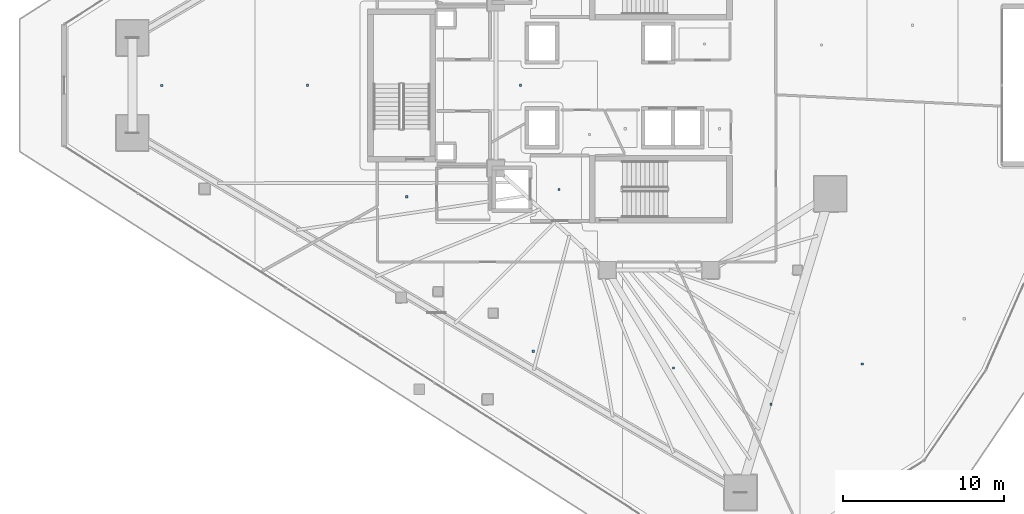
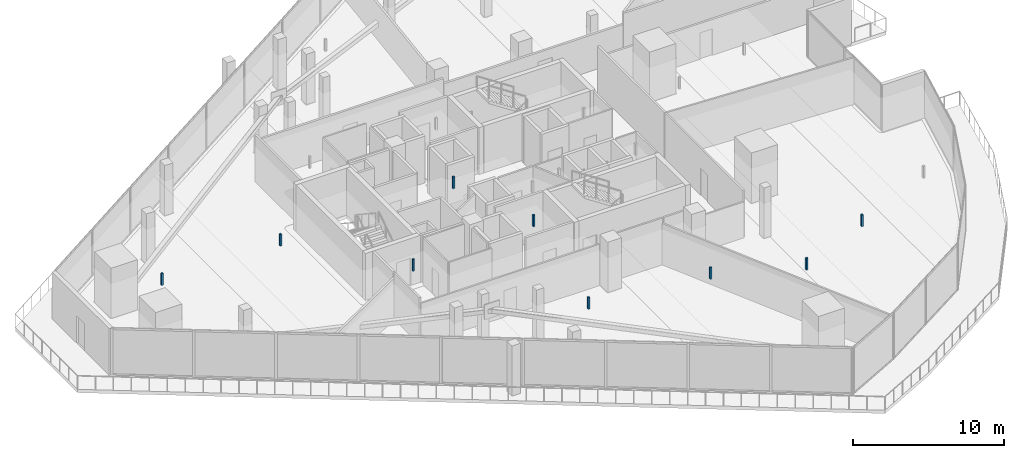
# One storey, part 32 of 40: 9 discrete accessories.
"""IFC4 building model written with IfcOpenShell, lengths in metres."""

from ifc_helpers import new_model, si_unit, direction, frame, origin, origin_2d, place, context, subcontext, project, spatial, rectangle, extrude, material, type_object, element, save


model = new_model("IFC4")

# Units and contexts
model_context = context("Model", 3, precision=1e-05, world=origin(), true_north=direction((0.0, 1.0)))
body_context = subcontext(model_context, "Body", "Model", "MODEL_VIEW")
ifc_project = project(units=[si_unit("LENGTHUNIT", "METRE"), si_unit("AREAUNIT", "SQUARE_METRE"), si_unit("VOLUMEUNIT", "CUBIC_METRE"), si_unit("PLANEANGLEUNIT", "RADIAN"), si_unit("MASSUNIT", "GRAM", prefix="KILO")], contexts=[model_context])

# Site, building, storey
site_placement = place(None, origin())
site = spatial("IfcSite", under=ifc_project, at=site_placement, CompositionType="ELEMENT")
building_placement = place(site_placement, origin())
building = spatial("IfcBuilding", under=site, at=building_placement, Name="Qorvath Tower", CompositionType="ELEMENT")
storey_placement = place(building_placement, frame((0.0, 0.0, 138.14990234375)))
storey = spatial("IfcBuildingStorey", under=building, at=storey_placement, Name="L31", CompositionType="ELEMENT", Elevation=138.14990234375)

# Discrete accessories
ifc_material = material(Name="Galvanised steel bracket", Category="steel")
discrete_accessory_type = type_object("IfcDiscreteAccessoryType", Name="DA-BRACKET", PredefinedType="BRACKET", material=ifc_material)
for number, where, z_axis, x_axis, name in (
    (1, (-26.590087890625, -6.449951171875, 2.85986328125), (0.0, 0.0, 1.0), (1.0, 0.0, 0.0), "Acoustic Ceiling Suspension Hanger T1-L31-002"),
    (2, (-36.04150390625, -6.906982421875, 2.85986328125), (0.0, 0.0, 1.0), (1.0, 0.0, 0.0), "Acoustic Ceiling Suspension Hanger T1-L31-008"),
    (3, (-28.990234375, 0.0, 2.85986328125), (0.0, 0.0, 1.0), (1.0, 0.0, 0.0), "Acoustic Ceiling Suspension Hanger T1-L31-010"),
    (4, (-51.233154296875, -0.0087890625, 2.85986328125), (0.0, 0.0, 1.0), (1.0, 0.0, 0.0), "Acoustic Ceiling Suspension Hanger T1-L31-011"),
    (5, (-42.1923828125, 0.0, 2.85986328125), (0.0, 0.0, 1.0), (1.0, 0.0, 0.0), "Acoustic Ceiling Suspension Hanger T1-L31-012"),
    (6, (-28.198974609375, -16.490966796875, 2.85986328125), (0.0, 0.0, 1.0), (1.0, 0.0, 0.0), "Acoustic Ceiling Suspension Hanger T1-L31-015"),
    (7, (-19.492919921875, -17.533447265625, 2.85986328125), (0.0, 0.0, 1.0), (1.0, 0.0, 0.0), "Acoustic Ceiling Suspension Hanger T1-L31-016"),
    (8, (-13.455078125, -19.778564453125, 2.85986328125), (0.0, 0.0, 1.0), (1.0, 0.0, 0.0), "Acoustic Ceiling Suspension Hanger T1-L31-018"),
    (9, (-7.787841796875, -17.27685546875, 2.85986328125), (0.0, 0.0, 1.0), (1.0, 0.0, 0.0), "Acoustic Ceiling Suspension Hanger T1-L31-019"),
):
    element("IfcDiscreteAccessory", number, at=place(storey_placement, frame(where, z_axis=z_axis, x_axis=x_axis)), inside=storey, type_object=discrete_accessory_type, Name=name, PredefinedType="NOTDEFINED", context=body_context, shape_type="SweptSolid", body=[
        extrude(rectangle(XDim=0.139892578125, YDim=0.139892578125, at=origin_2d()), origin(), (0.0, 0.0, 1.0), 0.949951171875),
    ])

save(model, "model.ifc")
